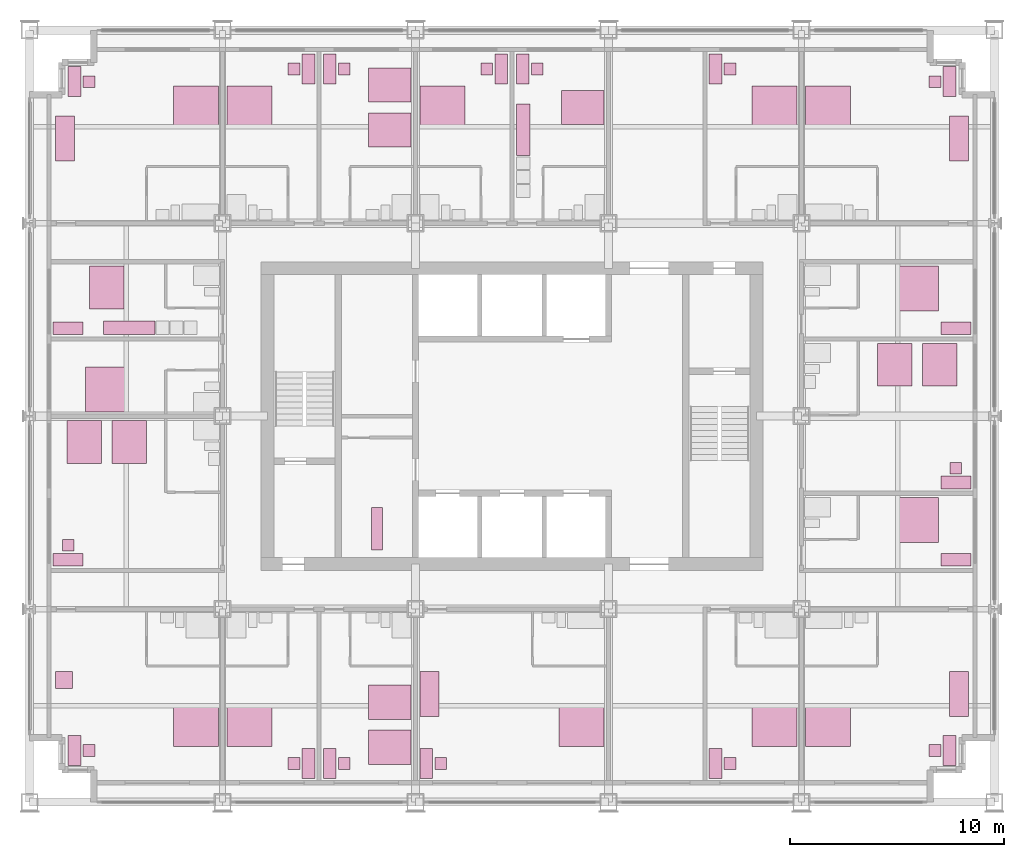
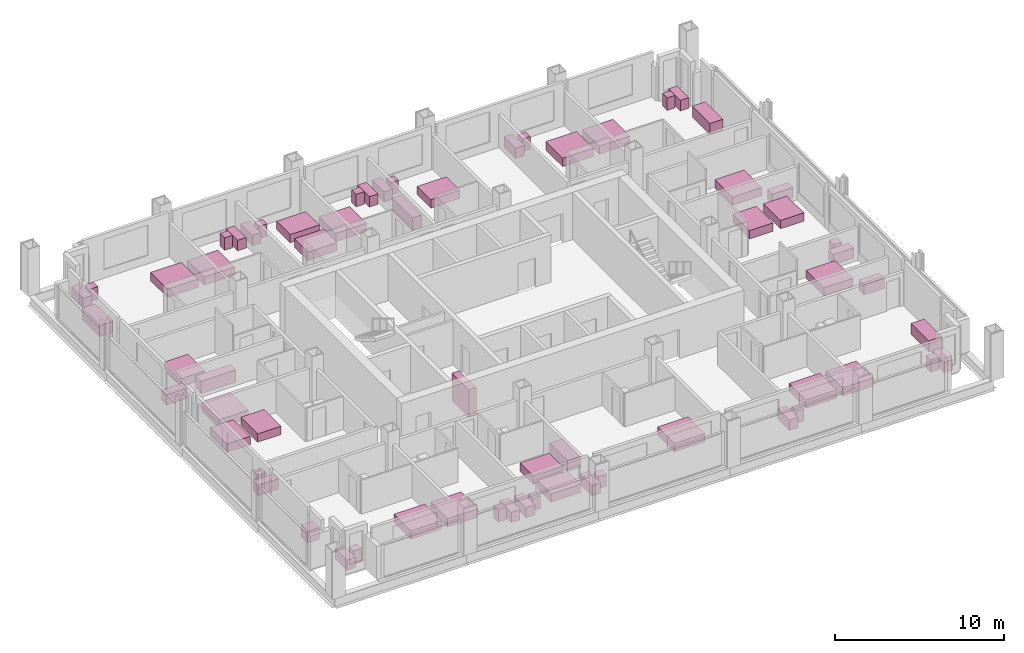
# One storey, part 17 of 17: 64 furniture elements.
"""IFC4 building model written with IfcOpenShell, lengths in metres."""

from ifc_helpers import new_model, si_unit, direction, frame, origin, origin_2d, place, context, subcontext, project, spatial, rectangle, extrude, element, save


model = new_model("IFC4")

# Units and contexts
model_context = context("Model", 3, precision=1e-05, world=origin(), true_north=direction((0.0, 1.0)))
body_context = subcontext(model_context, "Body", "Model", "MODEL_VIEW")
ifc_project = project(units=[si_unit("LENGTHUNIT", "METRE"), si_unit("AREAUNIT", "SQUARE_METRE"), si_unit("VOLUMEUNIT", "CUBIC_METRE"), si_unit("PLANEANGLEUNIT", "RADIAN"), si_unit("MASSUNIT", "GRAM", prefix="KILO")], contexts=[model_context])

# Site, building, storey
site_placement = place(None, origin())
site = spatial("IfcSite", under=ifc_project, at=site_placement, CompositionType="ELEMENT")
building_placement = place(site_placement, origin())
building = spatial("IfcBuilding", under=site, at=building_placement, Name="Loomwork Tower", CompositionType="ELEMENT")
storey_placement = place(building_placement, frame((0.0, 0.0, 138.39990234375)))
storey = spatial("IfcBuildingStorey", under=building, at=storey_placement, Name="L37", CompositionType="ELEMENT", Elevation=138.39990234375)

# Furniture
furniture_1_placement = place(storey_placement, frame((7.75, 3.60009765625, 0.0), z_axis=(0.0, 0.0, 1.0), x_axis=(1.0, 0.0, 0.0)))
element("IfcFurniture", 1, at=furniture_1_placement, inside=storey, Name="King bed L37", PredefinedType="BED", context=body_context, shape_type="SweptSolid", body=[
    extrude(rectangle(XDim=2.10009765625, YDim=2.0, at=origin_2d()), origin(), (0.0, 0.0, 1.0), 0.60009765625),
])
furniture_2_placement = place(storey_placement, frame((2.10009765625, 2.39990234375, 0.0), z_axis=(0.0, 0.0, 1.0), x_axis=(1.0, 0.0, 0.0)))
element("IfcFurniture", 2, at=furniture_2_placement, inside=storey, Name="Writing desk L37", PredefinedType="DESK", context=body_context, shape_type="SweptSolid", body=[
    extrude(rectangle(XDim=0.60009765625, YDim=1.39990234375, at=origin_2d()), origin(), (0.0, 0.0, 1.0), 0.75),
])
furniture_3_placement = place(storey_placement, frame((2.77490234375, 2.39990234375, 0.000244140625), z_axis=(0.0, 0.0, 1.0), x_axis=(1.0, 0.0, 0.0)))
element("IfcFurniture", 3, at=furniture_3_placement, inside=storey, Name="Desk chair L37", PredefinedType="CHAIR", context=body_context, shape_type="SweptSolid", body=[
    extrude(rectangle(XDim=0.550048828125, YDim=0.550048828125, at=origin_2d()), origin(), (0.0, 0.0, 1.0), 0.89990234375),
])
furniture_4_placement = place(storey_placement, frame((1.60009765625, 5.699951171875, 0.0), z_axis=(0.0, 0.0, 1.0), x_axis=(1.0, 0.0, 0.0)))
element("IfcFurniture", 4, at=furniture_4_placement, inside=storey, Name="Lounge armchair L37", PredefinedType="CHAIR", context=body_context, shape_type="SweptSolid", body=[
    extrude(rectangle(XDim=0.800048828125, YDim=0.800048828125, at=origin_2d()), origin(), (0.0, 0.0, 1.0), 0.85009765625),
])
furniture_5_placement = place(storey_placement, frame((10.25, 3.60009765625, 0.0), z_axis=(0.0, 0.0, 1.0), x_axis=(1.0, 0.0, 0.0)))
element("IfcFurniture", 5, at=furniture_5_placement, inside=storey, Name="King bed L37", PredefinedType="BED", context=body_context, shape_type="SweptSolid", body=[
    extrude(rectangle(XDim=2.10009765625, YDim=2.0, at=origin_2d()), origin(), (0.0, 0.0, 1.0), 0.60009765625),
])
furniture_6_placement = place(storey_placement, frame((13.0, 1.800048828125, 0.0), z_axis=(0.0, 0.0, 1.0), x_axis=(1.0, 0.0, 0.0)))
element("IfcFurniture", 6, at=furniture_6_placement, inside=storey, Name="Writing desk L37", PredefinedType="DESK", context=body_context, shape_type="SweptSolid", body=[
    extrude(rectangle(XDim=0.60009765625, YDim=1.39990234375, at=origin_2d()), origin(), (0.0, 0.0, 1.0), 0.75),
])
furniture_7_placement = place(storey_placement, frame((12.324951171875, 1.800048828125, 0.000244140625), z_axis=(0.0, 0.0, 1.0), x_axis=(1.0, 0.0, 0.0)))
element("IfcFurniture", 7, at=furniture_7_placement, inside=storey, Name="Desk chair L37", PredefinedType="CHAIR", context=body_context, shape_type="SweptSolid", body=[
    extrude(rectangle(XDim=0.550048828125, YDim=0.550048828125, at=origin_2d()), origin(), (0.0, 0.0, 1.0), 0.89990234375),
])
for number, where, z_axis, x_axis, name in (
    (8, (16.800048828125, 4.64990234375, 0.0), (0.0, 0.0, 1.0), (1.0, 0.0, 0.0), "Queen bed L37"),
    (9, (16.800048828125, 2.550048828125, 0.0), (0.0, 0.0, 1.0), (1.0, 0.0, 0.0), "Queen bed L37"),
):
    element("IfcFurniture", number, at=place(storey_placement, frame(where, z_axis=z_axis, x_axis=x_axis)), inside=storey, Name=name, PredefinedType="BED", context=body_context, shape_type="SweptSolid", body=[
        extrude(rectangle(XDim=2.0, YDim=1.60009765625, at=origin_2d()), origin(), (0.0, 0.0, 1.0), 0.60009765625),
    ])
furniture_8_placement = place(storey_placement, frame((14.0, 1.800048828125, 0.0), z_axis=(0.0, 0.0, 1.0), x_axis=(1.0, 0.0, 0.0)))
element("IfcFurniture", 10, at=furniture_8_placement, inside=storey, Name="Writing desk L37", PredefinedType="DESK", context=body_context, shape_type="SweptSolid", body=[
    extrude(rectangle(XDim=0.60009765625, YDim=1.39990234375, at=origin_2d()), origin(), (0.0, 0.0, 1.0), 0.75),
])
furniture_9_placement = place(storey_placement, frame((14.675048828125, 1.800048828125, 0.000244140625), z_axis=(0.0, 0.0, 1.0), x_axis=(1.0, 0.0, 0.0)))
element("IfcFurniture", 11, at=furniture_9_placement, inside=storey, Name="Desk chair L37", PredefinedType="CHAIR", context=body_context, shape_type="SweptSolid", body=[
    extrude(rectangle(XDim=0.550048828125, YDim=0.550048828125, at=origin_2d()), origin(), (0.0, 0.0, 1.0), 0.89990234375),
])
furniture_10_placement = place(storey_placement, frame((25.75, 3.60009765625, 0.0), z_axis=(0.0, 0.0, 1.0), x_axis=(1.0, 0.0, 0.0)))
element("IfcFurniture", 12, at=furniture_10_placement, inside=storey, Name="King bed L37", PredefinedType="BED", context=body_context, shape_type="SweptSolid", body=[
    extrude(rectangle(XDim=2.10009765625, YDim=2.0, at=origin_2d()), origin(), (0.0, 0.0, 1.0), 0.60009765625),
])
furniture_11_placement = place(storey_placement, frame((18.5, 1.800048828125, 0.0), z_axis=(0.0, 0.0, 1.0), x_axis=(1.0, 0.0, 0.0)))
element("IfcFurniture", 13, at=furniture_11_placement, inside=storey, Name="Writing desk L37", PredefinedType="DESK", context=body_context, shape_type="SweptSolid", body=[
    extrude(rectangle(XDim=0.60009765625, YDim=1.39990234375, at=origin_2d()), origin(), (0.0, 0.0, 1.0), 0.75),
])
furniture_12_placement = place(storey_placement, frame((19.175048828125, 1.800048828125, 0.000244140625), z_axis=(0.0, 0.0, 1.0), x_axis=(1.0, 0.0, 0.0)))
element("IfcFurniture", 14, at=furniture_12_placement, inside=storey, Name="Desk chair L37", PredefinedType="CHAIR", context=body_context, shape_type="SweptSolid", body=[
    extrude(rectangle(XDim=0.550048828125, YDim=0.550048828125, at=origin_2d()), origin(), (0.0, 0.0, 1.0), 0.89990234375),
])
furniture_13_placement = place(storey_placement, frame((18.64990234375, 5.050048828125, 0.0), z_axis=(0.0, 0.0, 1.0), x_axis=(1.0, 0.0, 0.0)))
element("IfcFurniture", 15, at=furniture_13_placement, inside=storey, Name="Sofa L37", PredefinedType="SOFA", context=body_context, shape_type="SweptSolid", body=[
    extrude(rectangle(XDim=0.89990234375, YDim=2.10009765625, at=origin_2d()), origin(), (0.0, 0.0, 1.0), 0.800048828125),
])
furniture_14_placement = place(storey_placement, frame((34.75, 3.60009765625, 0.0), z_axis=(0.0, 0.0, 1.0), x_axis=(1.0, 0.0, 0.0)))
element("IfcFurniture", 16, at=furniture_14_placement, inside=storey, Name="King bed L37", PredefinedType="BED", context=body_context, shape_type="SweptSolid", body=[
    extrude(rectangle(XDim=2.10009765625, YDim=2.0, at=origin_2d()), origin(), (0.0, 0.0, 1.0), 0.60009765625),
])
furniture_15_placement = place(storey_placement, frame((32.0, 1.800048828125, 0.0), z_axis=(0.0, 0.0, 1.0), x_axis=(1.0, 0.0, 0.0)))
element("IfcFurniture", 17, at=furniture_15_placement, inside=storey, Name="Writing desk L37", PredefinedType="DESK", context=body_context, shape_type="SweptSolid", body=[
    extrude(rectangle(XDim=0.60009765625, YDim=1.39990234375, at=origin_2d()), origin(), (0.0, 0.0, 1.0), 0.75),
])
furniture_16_placement = place(storey_placement, frame((32.675048828125, 1.800048828125, 0.000244140625), z_axis=(0.0, 0.0, 1.0), x_axis=(1.0, 0.0, 0.0)))
element("IfcFurniture", 18, at=furniture_16_placement, inside=storey, Name="Desk chair L37", PredefinedType="CHAIR", context=body_context, shape_type="SweptSolid", body=[
    extrude(rectangle(XDim=0.550048828125, YDim=0.550048828125, at=origin_2d()), origin(), (0.0, 0.0, 1.0), 0.89990234375),
])
furniture_17_placement = place(storey_placement, frame((37.25, 3.60009765625, 0.0), z_axis=(0.0, 0.0, 1.0), x_axis=(1.0, 0.0, 0.0)))
element("IfcFurniture", 19, at=furniture_17_placement, inside=storey, Name="King bed L37", PredefinedType="BED", context=body_context, shape_type="SweptSolid", body=[
    extrude(rectangle(XDim=2.10009765625, YDim=2.0, at=origin_2d()), origin(), (0.0, 0.0, 1.0), 0.60009765625),
])
furniture_18_placement = place(storey_placement, frame((42.89990234375, 2.39990234375, 0.0), z_axis=(0.0, 0.0, 1.0), x_axis=(1.0, 0.0, 0.0)))
element("IfcFurniture", 20, at=furniture_18_placement, inside=storey, Name="Writing desk L37", PredefinedType="DESK", context=body_context, shape_type="SweptSolid", body=[
    extrude(rectangle(XDim=0.60009765625, YDim=1.39990234375, at=origin_2d()), origin(), (0.0, 0.0, 1.0), 0.75),
])
furniture_19_placement = place(storey_placement, frame((42.22509765625, 2.39990234375, 0.000244140625), z_axis=(0.0, 0.0, 1.0), x_axis=(1.0, 0.0, 0.0)))
element("IfcFurniture", 21, at=furniture_19_placement, inside=storey, Name="Desk chair L37", PredefinedType="CHAIR", context=body_context, shape_type="SweptSolid", body=[
    extrude(rectangle(XDim=0.550048828125, YDim=0.550048828125, at=origin_2d()), origin(), (0.0, 0.0, 1.0), 0.89990234375),
])
furniture_20_placement = place(storey_placement, frame((43.35009765625, 5.050048828125, 0.0), z_axis=(0.0, 0.0, 1.0), x_axis=(1.0, 0.0, 0.0)))
element("IfcFurniture", 22, at=furniture_20_placement, inside=storey, Name="Sofa L37", PredefinedType="SOFA", context=body_context, shape_type="SweptSolid", body=[
    extrude(rectangle(XDim=0.89990234375, YDim=2.10009765625, at=origin_2d()), origin(), (0.0, 0.0, 1.0), 0.800048828125),
])
furniture_21_placement = place(storey_placement, frame((7.75, 32.39990234375, 0.0), z_axis=(0.0, 0.0, 1.0), x_axis=(1.0, 0.0, 0.0)))
element("IfcFurniture", 23, at=furniture_21_placement, inside=storey, Name="King bed L37", PredefinedType="BED", context=body_context, shape_type="SweptSolid", body=[
    extrude(rectangle(XDim=2.10009765625, YDim=2.0, at=origin_2d()), origin(), (0.0, 0.0, 1.0), 0.60009765625),
])
furniture_22_placement = place(storey_placement, frame((2.10009765625, 33.60009765625, 0.0), z_axis=(0.0, 0.0, 1.0), x_axis=(1.0, 0.0, 0.0)))
element("IfcFurniture", 24, at=furniture_22_placement, inside=storey, Name="Writing desk L37", PredefinedType="DESK", context=body_context, shape_type="SweptSolid", body=[
    extrude(rectangle(XDim=0.60009765625, YDim=1.39990234375, at=origin_2d()), origin(), (0.0, 0.0, 1.0), 0.75),
])
furniture_23_placement = place(storey_placement, frame((2.77490234375, 33.60009765625, 0.000244140625), z_axis=(0.0, 0.0, 1.0), x_axis=(1.0, 0.0, 0.0)))
element("IfcFurniture", 25, at=furniture_23_placement, inside=storey, Name="Desk chair L37", PredefinedType="CHAIR", context=body_context, shape_type="SweptSolid", body=[
    extrude(rectangle(XDim=0.550048828125, YDim=0.550048828125, at=origin_2d()), origin(), (0.0, 0.0, 1.0), 0.89990234375),
])
furniture_24_placement = place(storey_placement, frame((1.64990234375, 30.949951171875, 0.0), z_axis=(0.0, 0.0, 1.0), x_axis=(1.0, 0.0, 0.0)))
element("IfcFurniture", 26, at=furniture_24_placement, inside=storey, Name="Sofa L37", PredefinedType="SOFA", context=body_context, shape_type="SweptSolid", body=[
    extrude(rectangle(XDim=0.89990234375, YDim=2.10009765625, at=origin_2d()), origin(), (0.0, 0.0, 1.0), 0.800048828125),
])
furniture_25_placement = place(storey_placement, frame((10.25, 32.39990234375, 0.0), z_axis=(0.0, 0.0, 1.0), x_axis=(1.0, 0.0, 0.0)))
element("IfcFurniture", 27, at=furniture_25_placement, inside=storey, Name="King bed L37", PredefinedType="BED", context=body_context, shape_type="SweptSolid", body=[
    extrude(rectangle(XDim=2.10009765625, YDim=2.0, at=origin_2d()), origin(), (0.0, 0.0, 1.0), 0.60009765625),
])
furniture_26_placement = place(storey_placement, frame((13.0, 34.199951171875, 0.0), z_axis=(0.0, 0.0, 1.0), x_axis=(1.0, 0.0, 0.0)))
element("IfcFurniture", 28, at=furniture_26_placement, inside=storey, Name="Writing desk L37", PredefinedType="DESK", context=body_context, shape_type="SweptSolid", body=[
    extrude(rectangle(XDim=0.60009765625, YDim=1.39990234375, at=origin_2d()), origin(), (0.0, 0.0, 1.0), 0.75),
])
furniture_27_placement = place(storey_placement, frame((12.324951171875, 34.199951171875, 0.000244140625), z_axis=(0.0, 0.0, 1.0), x_axis=(1.0, 0.0, 0.0)))
element("IfcFurniture", 29, at=furniture_27_placement, inside=storey, Name="Desk chair L37", PredefinedType="CHAIR", context=body_context, shape_type="SweptSolid", body=[
    extrude(rectangle(XDim=0.550048828125, YDim=0.550048828125, at=origin_2d()), origin(), (0.0, 0.0, 1.0), 0.89990234375),
])
for number, where, z_axis, x_axis, name in (
    (30, (16.800048828125, 31.35009765625, 0.0), (0.0, 0.0, 1.0), (1.0, 0.0, 0.0), "Queen bed L37"),
    (31, (16.800048828125, 33.449951171875, 0.0), (0.0, 0.0, 1.0), (1.0, 0.0, 0.0), "Queen bed L37"),
):
    element("IfcFurniture", number, at=place(storey_placement, frame(where, z_axis=z_axis, x_axis=x_axis)), inside=storey, Name=name, PredefinedType="BED", context=body_context, shape_type="SweptSolid", body=[
        extrude(rectangle(XDim=2.0, YDim=1.60009765625, at=origin_2d()), origin(), (0.0, 0.0, 1.0), 0.60009765625),
    ])
furniture_28_placement = place(storey_placement, frame((14.0, 34.199951171875, 0.0), z_axis=(0.0, 0.0, 1.0), x_axis=(1.0, 0.0, 0.0)))
element("IfcFurniture", 32, at=furniture_28_placement, inside=storey, Name="Writing desk L37", PredefinedType="DESK", context=body_context, shape_type="SweptSolid", body=[
    extrude(rectangle(XDim=0.60009765625, YDim=1.39990234375, at=origin_2d()), origin(), (0.0, 0.0, 1.0), 0.75),
])
furniture_29_placement = place(storey_placement, frame((14.675048828125, 34.199951171875, 0.000244140625), z_axis=(0.0, 0.0, 1.0), x_axis=(1.0, 0.0, 0.0)))
element("IfcFurniture", 33, at=furniture_29_placement, inside=storey, Name="Desk chair L37", PredefinedType="CHAIR", context=body_context, shape_type="SweptSolid", body=[
    extrude(rectangle(XDim=0.550048828125, YDim=0.550048828125, at=origin_2d()), origin(), (0.0, 0.0, 1.0), 0.89990234375),
])
furniture_30_placement = place(storey_placement, frame((19.25, 32.39990234375, 0.0), z_axis=(0.0, 0.0, 1.0), x_axis=(1.0, 0.0, 0.0)))
element("IfcFurniture", 34, at=furniture_30_placement, inside=storey, Name="King bed L37", PredefinedType="BED", context=body_context, shape_type="SweptSolid", body=[
    extrude(rectangle(XDim=2.10009765625, YDim=2.0, at=origin_2d()), origin(), (0.0, 0.0, 1.0), 0.60009765625),
])
furniture_31_placement = place(storey_placement, frame((22.0, 34.199951171875, 0.0), z_axis=(0.0, 0.0, 1.0), x_axis=(1.0, 0.0, 0.0)))
element("IfcFurniture", 35, at=furniture_31_placement, inside=storey, Name="Writing desk L37", PredefinedType="DESK", context=body_context, shape_type="SweptSolid", body=[
    extrude(rectangle(XDim=0.60009765625, YDim=1.39990234375, at=origin_2d()), origin(), (0.0, 0.0, 1.0), 0.75),
])
furniture_32_placement = place(storey_placement, frame((21.324951171875, 34.199951171875, 0.000244140625), z_axis=(0.0, 0.0, 1.0), x_axis=(1.0, 0.0, 0.0)))
element("IfcFurniture", 36, at=furniture_32_placement, inside=storey, Name="Desk chair L37", PredefinedType="CHAIR", context=body_context, shape_type="SweptSolid", body=[
    extrude(rectangle(XDim=0.550048828125, YDim=0.550048828125, at=origin_2d()), origin(), (0.0, 0.0, 1.0), 0.89990234375),
])
furniture_33_placement = place(storey_placement, frame((25.800048828125, 32.39990234375, 0.0), z_axis=(0.0, 0.0, 1.0), x_axis=(1.0, 0.0, 0.0)))
element("IfcFurniture", 37, at=furniture_33_placement, inside=storey, Name="Queen bed L37", PredefinedType="BED", context=body_context, shape_type="SweptSolid", body=[
    extrude(rectangle(XDim=2.0, YDim=1.60009765625, at=origin_2d()), origin(), (0.0, 0.0, 1.0), 0.60009765625),
])
furniture_34_placement = place(storey_placement, frame((23.0, 34.199951171875, 0.0), z_axis=(0.0, 0.0, 1.0), x_axis=(1.0, 0.0, 0.0)))
element("IfcFurniture", 38, at=furniture_34_placement, inside=storey, Name="Writing desk L37", PredefinedType="DESK", context=body_context, shape_type="SweptSolid", body=[
    extrude(rectangle(XDim=0.60009765625, YDim=1.39990234375, at=origin_2d()), origin(), (0.0, 0.0, 1.0), 0.75),
])
furniture_35_placement = place(storey_placement, frame((23.675048828125, 34.199951171875, 0.000244140625), z_axis=(0.0, 0.0, 1.0), x_axis=(1.0, 0.0, 0.0)))
element("IfcFurniture", 39, at=furniture_35_placement, inside=storey, Name="Desk chair L37", PredefinedType="CHAIR", context=body_context, shape_type="SweptSolid", body=[
    extrude(rectangle(XDim=0.550048828125, YDim=0.550048828125, at=origin_2d()), origin(), (0.0, 0.0, 1.0), 0.89990234375),
])
furniture_36_placement = place(storey_placement, frame((23.02490234375, 31.35009765625, 0.000244140625), z_axis=(0.0, 0.0, 1.0), x_axis=(1.0, 0.0, 0.0)))
element("IfcFurniture", 40, at=furniture_36_placement, inside=storey, Name="Kitchenette counter L37", ObjectType="KITCHENETTE", PredefinedType="USERDEFINED", context=body_context, shape_type="SweptSolid", body=[
    extrude(rectangle(XDim=0.64990234375, YDim=2.39990234375, at=origin_2d()), origin(), (0.0, 0.0, 1.0), 0.89990234375),
])
furniture_37_placement = place(storey_placement, frame((34.75, 32.39990234375, 0.0), z_axis=(0.0, 0.0, 1.0), x_axis=(1.0, 0.0, 0.0)))
element("IfcFurniture", 41, at=furniture_37_placement, inside=storey, Name="King bed L37", PredefinedType="BED", context=body_context, shape_type="SweptSolid", body=[
    extrude(rectangle(XDim=2.10009765625, YDim=2.0, at=origin_2d()), origin(), (0.0, 0.0, 1.0), 0.60009765625),
])
furniture_38_placement = place(storey_placement, frame((32.0, 34.199951171875, 0.0), z_axis=(0.0, 0.0, 1.0), x_axis=(1.0, 0.0, 0.0)))
element("IfcFurniture", 42, at=furniture_38_placement, inside=storey, Name="Writing desk L37", PredefinedType="DESK", context=body_context, shape_type="SweptSolid", body=[
    extrude(rectangle(XDim=0.60009765625, YDim=1.39990234375, at=origin_2d()), origin(), (0.0, 0.0, 1.0), 0.75),
])
furniture_39_placement = place(storey_placement, frame((32.675048828125, 34.199951171875, 0.000244140625), z_axis=(0.0, 0.0, 1.0), x_axis=(1.0, 0.0, 0.0)))
element("IfcFurniture", 43, at=furniture_39_placement, inside=storey, Name="Desk chair L37", PredefinedType="CHAIR", context=body_context, shape_type="SweptSolid", body=[
    extrude(rectangle(XDim=0.550048828125, YDim=0.550048828125, at=origin_2d()), origin(), (0.0, 0.0, 1.0), 0.89990234375),
])
furniture_40_placement = place(storey_placement, frame((37.25, 32.39990234375, 0.0), z_axis=(0.0, 0.0, 1.0), x_axis=(1.0, 0.0, 0.0)))
element("IfcFurniture", 44, at=furniture_40_placement, inside=storey, Name="King bed L37", PredefinedType="BED", context=body_context, shape_type="SweptSolid", body=[
    extrude(rectangle(XDim=2.10009765625, YDim=2.0, at=origin_2d()), origin(), (0.0, 0.0, 1.0), 0.60009765625),
])
furniture_41_placement = place(storey_placement, frame((42.89990234375, 33.60009765625, 0.0), z_axis=(0.0, 0.0, 1.0), x_axis=(1.0, 0.0, 0.0)))
element("IfcFurniture", 45, at=furniture_41_placement, inside=storey, Name="Writing desk L37", PredefinedType="DESK", context=body_context, shape_type="SweptSolid", body=[
    extrude(rectangle(XDim=0.60009765625, YDim=1.39990234375, at=origin_2d()), origin(), (0.0, 0.0, 1.0), 0.75),
])
furniture_42_placement = place(storey_placement, frame((42.22509765625, 33.60009765625, 0.000244140625), z_axis=(0.0, 0.0, 1.0), x_axis=(1.0, 0.0, 0.0)))
element("IfcFurniture", 46, at=furniture_42_placement, inside=storey, Name="Desk chair L37", PredefinedType="CHAIR", context=body_context, shape_type="SweptSolid", body=[
    extrude(rectangle(XDim=0.550048828125, YDim=0.550048828125, at=origin_2d()), origin(), (0.0, 0.0, 1.0), 0.89990234375),
])
furniture_43_placement = place(storey_placement, frame((43.35009765625, 30.949951171875, 0.0), z_axis=(0.0, 0.0, 1.0), x_axis=(1.0, 0.0, 0.0)))
element("IfcFurniture", 47, at=furniture_43_placement, inside=storey, Name="Sofa L37", PredefinedType="SOFA", context=body_context, shape_type="SweptSolid", body=[
    extrude(rectangle(XDim=0.89990234375, YDim=2.10009765625, at=origin_2d()), origin(), (0.0, 0.0, 1.0), 0.800048828125),
])
for number, where, z_axis, x_axis, name in (
    (48, (4.64990234375, 16.800048828125, 0.0), (0.0, 0.0, 1.0), (1.0, 0.0, 0.0), "Queen bed L37"),
    (49, (2.550048828125, 16.800048828125, 0.0), (0.0, 0.0, 1.0), (1.0, 0.0, 0.0), "Queen bed L37"),
):
    element("IfcFurniture", number, at=place(storey_placement, frame(where, z_axis=z_axis, x_axis=x_axis)), inside=storey, Name=name, PredefinedType="BED", context=body_context, shape_type="SweptSolid", body=[
        extrude(rectangle(XDim=1.60009765625, YDim=2.0, at=origin_2d()), origin(), (0.0, 0.0, 1.0), 0.60009765625),
    ])
furniture_44_placement = place(storey_placement, frame((1.800048828125, 11.300048828125, 0.0), z_axis=(0.0, 0.0, 1.0), x_axis=(1.0, 0.0, 0.0)))
element("IfcFurniture", 50, at=furniture_44_placement, inside=storey, Name="Writing desk L37", PredefinedType="DESK", context=body_context, shape_type="SweptSolid", body=[
    extrude(rectangle(XDim=1.39990234375, YDim=0.60009765625, at=origin_2d()), origin(), (0.0, 0.0, 1.0), 0.75),
])
furniture_45_placement = place(storey_placement, frame((1.800048828125, 11.97509765625, 0.000244140625), z_axis=(0.0, 0.0, 1.0), x_axis=(1.0, 0.0, 0.0)))
element("IfcFurniture", 51, at=furniture_45_placement, inside=storey, Name="Desk chair L37", PredefinedType="CHAIR", context=body_context, shape_type="SweptSolid", body=[
    extrude(rectangle(XDim=0.550048828125, YDim=0.550048828125, at=origin_2d()), origin(), (0.0, 0.0, 1.0), 0.89990234375),
])
furniture_46_placement = place(storey_placement, frame((3.60009765625, 19.25, 0.0), z_axis=(0.0, 0.0, 1.0), x_axis=(1.0, 0.0, 0.0)))
element("IfcFurniture", 52, at=furniture_46_placement, inside=storey, Name="King bed L37", PredefinedType="BED", context=body_context, shape_type="SweptSolid", body=[
    extrude(rectangle(XDim=2.0, YDim=2.10009765625, at=origin_2d()), origin(), (0.0, 0.0, 1.0), 0.60009765625),
])
furniture_47_placement = place(storey_placement, frame((3.60009765625, 24.0, 0.0), z_axis=(0.0, 0.0, 1.0), x_axis=(1.0, 0.0, 0.0)))
element("IfcFurniture", 53, at=furniture_47_placement, inside=storey, Name="Queen bed L37", PredefinedType="BED", context=body_context, shape_type="SweptSolid", body=[
    extrude(rectangle(XDim=1.60009765625, YDim=2.0, at=origin_2d()), origin(), (0.0, 0.0, 1.0), 0.60009765625),
])
furniture_48_placement = place(storey_placement, frame((1.800048828125, 22.10009765625, 0.0), z_axis=(0.0, 0.0, 1.0), x_axis=(1.0, 0.0, 0.0)))
element("IfcFurniture", 54, at=furniture_48_placement, inside=storey, Name="Writing desk L37", PredefinedType="DESK", context=body_context, shape_type="SweptSolid", body=[
    extrude(rectangle(XDim=1.39990234375, YDim=0.60009765625, at=origin_2d()), origin(), (0.0, 0.0, 1.0), 0.75),
])
furniture_49_placement = place(storey_placement, frame((4.64990234375, 22.125, 0.000244140625), z_axis=(0.0, 0.0, 1.0), x_axis=(1.0, 0.0, 0.0)))
element("IfcFurniture", 55, at=furniture_49_placement, inside=storey, Name="Kitchenette counter L37", ObjectType="KITCHENETTE", PredefinedType="USERDEFINED", context=body_context, shape_type="SweptSolid", body=[
    extrude(rectangle(XDim=2.39990234375, YDim=0.64990234375, at=origin_2d()), origin(), (0.0, 0.0, 1.0), 0.89990234375),
])
furniture_50_placement = place(storey_placement, frame((41.39990234375, 13.14990234375, 0.0), z_axis=(0.0, 0.0, 1.0), x_axis=(1.0, 0.0, 0.0)))
element("IfcFurniture", 56, at=furniture_50_placement, inside=storey, Name="King bed L37", PredefinedType="BED", context=body_context, shape_type="SweptSolid", body=[
    extrude(rectangle(XDim=2.0, YDim=2.10009765625, at=origin_2d()), origin(), (0.0, 0.0, 1.0), 0.60009765625),
])
furniture_51_placement = place(storey_placement, frame((43.199951171875, 11.300048828125, 0.0), z_axis=(0.0, 0.0, 1.0), x_axis=(1.0, 0.0, 0.0)))
element("IfcFurniture", 57, at=furniture_51_placement, inside=storey, Name="Writing desk L37", PredefinedType="DESK", context=body_context, shape_type="SweptSolid", body=[
    extrude(rectangle(XDim=1.39990234375, YDim=0.60009765625, at=origin_2d()), origin(), (0.0, 0.0, 1.0), 0.75),
])
for number, where, z_axis, x_axis, name in (
    (58, (40.35009765625, 20.39990234375, 0.0), (0.0, 0.0, 1.0), (1.0, 0.0, 0.0), "Queen bed L37"),
    (59, (42.449951171875, 20.39990234375, 0.0), (0.0, 0.0, 1.0), (1.0, 0.0, 0.0), "Queen bed L37"),
):
    element("IfcFurniture", number, at=place(storey_placement, frame(where, z_axis=z_axis, x_axis=x_axis)), inside=storey, Name=name, PredefinedType="BED", context=body_context, shape_type="SweptSolid", body=[
        extrude(rectangle(XDim=1.60009765625, YDim=2.0, at=origin_2d()), origin(), (0.0, 0.0, 1.0), 0.60009765625),
    ])
furniture_52_placement = place(storey_placement, frame((43.199951171875, 14.89990234375, 0.0), z_axis=(0.0, 0.0, 1.0), x_axis=(1.0, 0.0, 0.0)))
element("IfcFurniture", 60, at=furniture_52_placement, inside=storey, Name="Writing desk L37", PredefinedType="DESK", context=body_context, shape_type="SweptSolid", body=[
    extrude(rectangle(XDim=1.39990234375, YDim=0.60009765625, at=origin_2d()), origin(), (0.0, 0.0, 1.0), 0.75),
])
furniture_53_placement = place(storey_placement, frame((43.199951171875, 15.574951171875, 0.000244140625), z_axis=(0.0, 0.0, 1.0), x_axis=(1.0, 0.0, 0.0)))
element("IfcFurniture", 61, at=furniture_53_placement, inside=storey, Name="Desk chair L37", PredefinedType="CHAIR", context=body_context, shape_type="SweptSolid", body=[
    extrude(rectangle(XDim=0.550048828125, YDim=0.550048828125, at=origin_2d()), origin(), (0.0, 0.0, 1.0), 0.89990234375),
])
furniture_54_placement = place(storey_placement, frame((41.39990234375, 23.949951171875, 0.0), z_axis=(0.0, 0.0, 1.0), x_axis=(1.0, 0.0, 0.0)))
element("IfcFurniture", 62, at=furniture_54_placement, inside=storey, Name="King bed L37", PredefinedType="BED", context=body_context, shape_type="SweptSolid", body=[
    extrude(rectangle(XDim=2.0, YDim=2.10009765625, at=origin_2d()), origin(), (0.0, 0.0, 1.0), 0.60009765625),
])
furniture_55_placement = place(storey_placement, frame((43.199951171875, 22.10009765625, 0.0), z_axis=(0.0, 0.0, 1.0), x_axis=(1.0, 0.0, 0.0)))
element("IfcFurniture", 63, at=furniture_55_placement, inside=storey, Name="Writing desk L37", PredefinedType="DESK", context=body_context, shape_type="SweptSolid", body=[
    extrude(rectangle(XDim=1.39990234375, YDim=0.60009765625, at=origin_2d()), origin(), (0.0, 0.0, 1.0), 0.75),
])
furniture_56_placement = place(storey_placement, frame((16.199951171875, 12.75, 0.0), z_axis=(0.0, 0.0, 1.0), x_axis=(1.0, 0.0, 0.0)))
element("IfcFurniture", 64, at=furniture_56_placement, inside=storey, Name="Linen shelving L37", PredefinedType="SHELF", context=body_context, shape_type="SweptSolid", body=[
    extrude(rectangle(XDim=0.5, YDim=2.0, at=origin_2d()), origin(), (0.0, 0.0, 1.0), 2.0),
])

save(model, "model.ifc")
